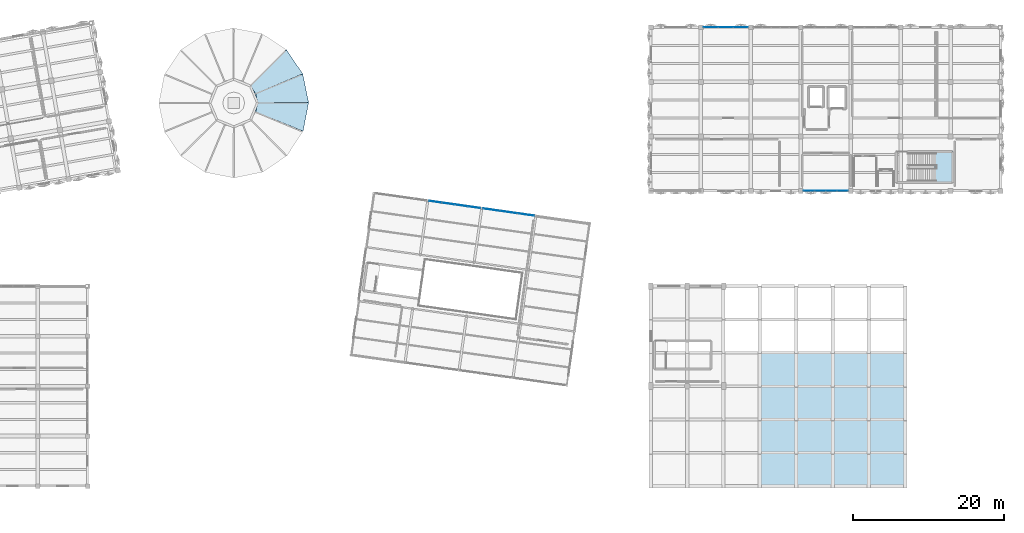
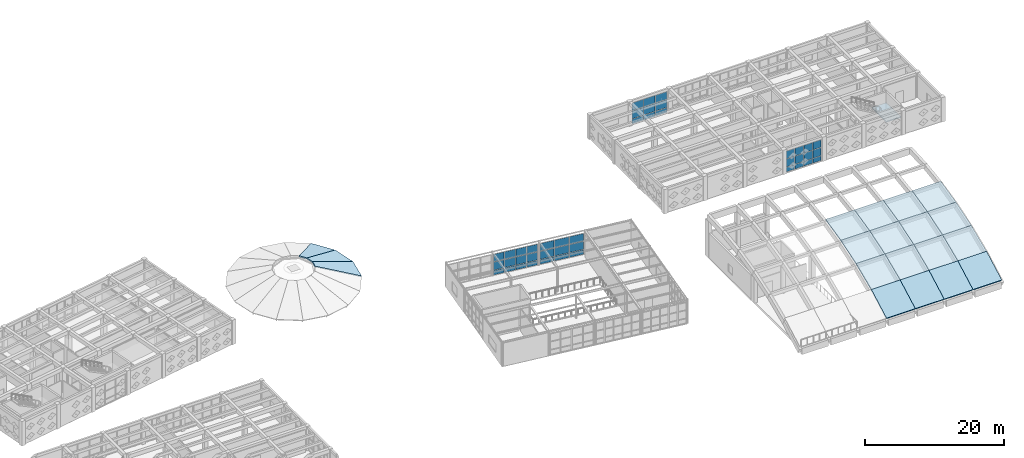
# One storey, part 46 of 67: 42 plates, 20 slabs, 5 elements without a shape of their own.
"""IFC4 building model written with IfcOpenShell, lengths in metres."""

from ifc_helpers import new_model, si_unit, direction, frame, origin, origin_2d, place, context, subcontext, project, spatial, polyline, rectangle, outline, extrude, material, layer, layer_set, type_object, element, aggregate, save


model = new_model("IFC4")

# Units and contexts
model_context = context("Model", 3, precision=1e-05, world=origin(), true_north=direction((0.0, 1.0)))
body_context = subcontext(model_context, "Body", "Model", "MODEL_VIEW")
ifc_project = project(units=[si_unit("LENGTHUNIT", "METRE"), si_unit("AREAUNIT", "SQUARE_METRE"), si_unit("VOLUMEUNIT", "CUBIC_METRE"), si_unit("PLANEANGLEUNIT", "RADIAN"), si_unit("MASSUNIT", "GRAM", prefix="KILO")], contexts=[model_context])

# Site, building, storey
site_placement = place(None, origin())
site = spatial("IfcSite", under=ifc_project, at=site_placement, CompositionType="ELEMENT")
building_placement = place(site_placement, origin())
building = spatial("IfcBuilding", under=site, at=building_placement, Name="Kharisveld Research Institute", CompositionType="ELEMENT")
storey_placement = place(building_placement, frame((0.0, 0.0, 9.60009765625)))
storey = spatial("IfcBuildingStorey", under=building, at=storey_placement, Name="L02", CompositionType="ELEMENT", Elevation=9.60009765625)

# Curtain wall, plates
ifc_material_1 = material(Name="Thermally Broken Aluminium Curtain Wall", Category="aluminium")
ifc_layer_1 = layer(ifc_material_1, 0.159912109375)
ifc_layer_set_1 = layer_set([ifc_layer_1], Name="CW_SYS_06")
curtain_wall_type_1 = type_object("IfcCurtainWallType", Name="CW_SYS_06", PredefinedType="NOTDEFINED", material=ifc_layer_set_1)
curtain_wall_1_placement = place(storey_placement, origin())
curtain_wall_1 = element("IfcCurtainWall", 1, at=curtain_wall_1_placement, inside=storey, type_object=curtain_wall_type_1, Name="CW:V2:L02:N1", PredefinedType="NOTDEFINED")
ifc_material_2 = material(Name="Low-E Double Glazing", Category="glass")
ifc_layer_2 = layer(ifc_material_2, 0.028076171875)
ifc_layer_set_2 = layer_set([ifc_layer_2], Name="CW_PNL_GLZ")
plate_type = type_object("IfcPlateType", Name="CW_PNL_GLZ", PredefinedType="CURTAIN_PANEL", material=ifc_layer_set_2)
plate_1_placement = place(storey_placement, frame((122.529541015625, 60.800048828125, 0.059814453125), z_axis=(0.0, 0.0, 1.0), x_axis=(1.0, 0.0, 0.0)))
plate_1 = element("IfcPlate", 2, at=plate_1_placement, type_object=plate_type, Name="CW-06 panel 1.1", PredefinedType="CURTAIN_PANEL", context=body_context, shape_type="SweptSolid", body=[
    extrude(rectangle(XDim=1.88916015625, YDim=0.028076171875, at=origin_2d()), origin(), (0.0, 0.0, 1.0), 0.81005859375),
])
plate_2_placement = place(storey_placement, frame((122.529541015625, 60.800048828125, 0.93017578125), z_axis=(0.0, 0.0, 1.0), x_axis=(1.0, 0.0, 0.0)))
plate_2 = element("IfcPlate", 3, at=plate_2_placement, type_object=plate_type, Name="CW-06 panel 1.2", PredefinedType="CURTAIN_PANEL", context=body_context, shape_type="SweptSolid", body=[
    extrude(rectangle(XDim=1.88916015625, YDim=0.028076171875, at=origin_2d()), origin(), (0.0, 0.0, 1.0), 1.389892578125),
])
plate_3_placement = place(storey_placement, frame((122.529541015625, 60.800048828125, 2.3798828125), z_axis=(0.0, 0.0, 1.0), x_axis=(1.0, 0.0, 0.0)))
plate_3 = element("IfcPlate", 4, at=plate_3_placement, type_object=plate_type, Name="CW-06 panel 1.3", PredefinedType="CURTAIN_PANEL", context=body_context, shape_type="SweptSolid", body=[
    extrude(rectangle(XDim=1.88916015625, YDim=0.028076171875, at=origin_2d()), origin(), (0.0, 0.0, 1.0), 1.340087890625),
])
plate_4_placement = place(storey_placement, frame((124.5, 60.800048828125, 0.059814453125), z_axis=(0.0, 0.0, 1.0), x_axis=(1.0, 0.0, 0.0)))
plate_4 = element("IfcPlate", 5, at=plate_4_placement, type_object=plate_type, Name="CW-06 panel 2.1", PredefinedType="CURTAIN_PANEL", context=body_context, shape_type="SweptSolid", body=[
    extrude(rectangle(XDim=1.921630859375, YDim=0.028076171875, at=origin_2d()), origin(), (0.0, 0.0, 1.0), 0.81005859375),
])
plate_5_placement = place(storey_placement, frame((124.5, 60.800048828125, 0.93017578125), z_axis=(0.0, 0.0, 1.0), x_axis=(1.0, 0.0, 0.0)))
plate_5 = element("IfcPlate", 6, at=plate_5_placement, type_object=plate_type, Name="CW-06 panel 2.2", PredefinedType="CURTAIN_PANEL", context=body_context, shape_type="SweptSolid", body=[
    extrude(rectangle(XDim=1.921630859375, YDim=0.028076171875, at=origin_2d()), origin(), (0.0, 0.0, 1.0), 1.389892578125),
])
plate_6_placement = place(storey_placement, frame((124.5, 60.800048828125, 2.3798828125), z_axis=(0.0, 0.0, 1.0), x_axis=(1.0, 0.0, 0.0)))
plate_6 = element("IfcPlate", 7, at=plate_6_placement, type_object=plate_type, Name="CW-06 panel 2.3", PredefinedType="CURTAIN_PANEL", context=body_context, shape_type="SweptSolid", body=[
    extrude(rectangle(XDim=1.921630859375, YDim=0.028076171875, at=origin_2d()), origin(), (0.0, 0.0, 1.0), 1.340087890625),
])
plate_7_placement = place(storey_placement, frame((126.470458984375, 60.800048828125, 0.059814453125), z_axis=(0.0, 0.0, 1.0), x_axis=(1.0, 0.0, 0.0)))
plate_7 = element("IfcPlate", 8, at=plate_7_placement, type_object=plate_type, Name="CW-06 panel 3.1", PredefinedType="CURTAIN_PANEL", context=body_context, shape_type="SweptSolid", body=[
    extrude(rectangle(XDim=1.88916015625, YDim=0.028076171875, at=origin_2d()), origin(), (0.0, 0.0, 1.0), 0.81005859375),
])
plate_8_placement = place(storey_placement, frame((126.470458984375, 60.800048828125, 0.93017578125), z_axis=(0.0, 0.0, 1.0), x_axis=(1.0, 0.0, 0.0)))
plate_8 = element("IfcPlate", 9, at=plate_8_placement, type_object=plate_type, Name="CW-06 panel 3.2", PredefinedType="CURTAIN_PANEL", context=body_context, shape_type="SweptSolid", body=[
    extrude(rectangle(XDim=1.88916015625, YDim=0.028076171875, at=origin_2d()), origin(), (0.0, 0.0, 1.0), 1.389892578125),
])
plate_9_placement = place(storey_placement, frame((126.470458984375, 60.800048828125, 2.3798828125), z_axis=(0.0, 0.0, 1.0), x_axis=(1.0, 0.0, 0.0)))
plate_9 = element("IfcPlate", 10, at=plate_9_placement, type_object=plate_type, Name="CW-06 panel 3.3", PredefinedType="CURTAIN_PANEL", context=body_context, shape_type="SweptSolid", body=[
    extrude(rectangle(XDim=1.88916015625, YDim=0.028076171875, at=origin_2d()), origin(), (0.0, 0.0, 1.0), 1.340087890625),
])
aggregate(curtain_wall_1, [plate_1, plate_2, plate_3, plate_4, plate_5, plate_6, plate_7, plate_8, plate_9])

ifc_material_3 = material(Name="Thermally Broken Aluminium Curtain Wall", Category="aluminium")
ifc_layer_3 = layer(ifc_material_3, 0.159912109375)
ifc_layer_set_3 = layer_set([ifc_layer_3], Name="CW_SYS_04")
curtain_wall_type_2 = type_object("IfcCurtainWallType", Name="CW_SYS_04", PredefinedType="NOTDEFINED", material=ifc_layer_set_3)
curtain_wall_2_placement = place(storey_placement, origin())
curtain_wall_2 = element("IfcCurtainWall", 11, at=curtain_wall_2_placement, inside=storey, type_object=curtain_wall_type_2, Name="CW:V2:L02:S4", PredefinedType="NOTDEFINED")
plate_10_placement = place(storey_placement, frame((139.918701171875, 39.199951171875, 0.059814453125), z_axis=(0.0, 0.0, 1.0), x_axis=(-1.0, 0.0, 0.0)))
plate_10 = element("IfcPlate", 12, at=plate_10_placement, type_object=plate_type, Name="CW-04 panel 1.1", PredefinedType="CURTAIN_PANEL", context=body_context, shape_type="SweptSolid", body=[
    extrude(rectangle(XDim=1.392578125, YDim=0.028076171875, at=origin_2d()), origin(), (0.0, 0.0, 1.0), 0.81005859375),
])
plate_11_placement = place(storey_placement, frame((139.918701171875, 39.199951171875, 0.93017578125), z_axis=(0.0, 0.0, 1.0), x_axis=(-1.0, 0.0, 0.0)))
plate_11 = element("IfcPlate", 13, at=plate_11_placement, type_object=plate_type, Name="CW-04 panel 1.2", PredefinedType="CURTAIN_PANEL", context=body_context, shape_type="SweptSolid", body=[
    extrude(rectangle(XDim=1.392578125, YDim=0.028076171875, at=origin_2d()), origin(), (0.0, 0.0, 1.0), 1.389892578125),
])
plate_12_placement = place(storey_placement, frame((139.918701171875, 39.199951171875, 2.3798828125), z_axis=(0.0, 0.0, 1.0), x_axis=(-1.0, 0.0, 0.0)))
plate_12 = element("IfcPlate", 14, at=plate_12_placement, type_object=plate_type, Name="CW-04 panel 1.3", PredefinedType="CURTAIN_PANEL", context=body_context, shape_type="SweptSolid", body=[
    extrude(rectangle(XDim=1.392578125, YDim=0.028076171875, at=origin_2d()), origin(), (0.0, 0.0, 1.0), 1.340087890625),
])
plate_13_placement = place(storey_placement, frame((138.445068359375, 39.199951171875, 0.059814453125), z_axis=(0.0, 0.0, 1.0), x_axis=(-1.0, 0.0, 0.0)))
plate_13 = element("IfcPlate", 15, at=plate_13_placement, type_object=plate_type, Name="CW-04 panel 2.1", PredefinedType="CURTAIN_PANEL", context=body_context, shape_type="SweptSolid", body=[
    extrude(rectangle(XDim=1.425048828125, YDim=0.028076171875, at=origin_2d()), origin(), (0.0, 0.0, 1.0), 0.81005859375),
])
plate_14_placement = place(storey_placement, frame((138.445068359375, 39.199951171875, 0.93017578125), z_axis=(0.0, 0.0, 1.0), x_axis=(-1.0, 0.0, 0.0)))
plate_14 = element("IfcPlate", 16, at=plate_14_placement, type_object=plate_type, Name="CW-04 panel 2.2", PredefinedType="CURTAIN_PANEL", context=body_context, shape_type="SweptSolid", body=[
    extrude(rectangle(XDim=1.425048828125, YDim=0.028076171875, at=origin_2d()), origin(), (0.0, 0.0, 1.0), 1.389892578125),
])
plate_15_placement = place(storey_placement, frame((138.445068359375, 39.199951171875, 2.3798828125), z_axis=(0.0, 0.0, 1.0), x_axis=(-1.0, 0.0, 0.0)))
plate_15 = element("IfcPlate", 17, at=plate_15_placement, type_object=plate_type, Name="CW-04 panel 2.3", PredefinedType="CURTAIN_PANEL", context=body_context, shape_type="SweptSolid", body=[
    extrude(rectangle(XDim=1.425048828125, YDim=0.028076171875, at=origin_2d()), origin(), (0.0, 0.0, 1.0), 1.340087890625),
])
plate_16_placement = place(storey_placement, frame((136.955078125, 39.199951171875, 0.059814453125), z_axis=(0.0, 0.0, 1.0), x_axis=(-1.0, 0.0, 0.0)))
plate_16 = element("IfcPlate", 18, at=plate_16_placement, type_object=plate_type, Name="CW-04 panel 3.1", PredefinedType="CURTAIN_PANEL", context=body_context, shape_type="SweptSolid", body=[
    extrude(rectangle(XDim=1.425048828125, YDim=0.028076171875, at=origin_2d()), origin(), (0.0, 0.0, 1.0), 0.81005859375),
])
plate_17_placement = place(storey_placement, frame((136.955078125, 39.199951171875, 0.93017578125), z_axis=(0.0, 0.0, 1.0), x_axis=(-1.0, 0.0, 0.0)))
plate_17 = element("IfcPlate", 19, at=plate_17_placement, type_object=plate_type, Name="CW-04 panel 3.2", PredefinedType="CURTAIN_PANEL", context=body_context, shape_type="SweptSolid", body=[
    extrude(rectangle(XDim=1.425048828125, YDim=0.028076171875, at=origin_2d()), origin(), (0.0, 0.0, 1.0), 1.389892578125),
])
plate_18_placement = place(storey_placement, frame((136.955078125, 39.199951171875, 2.3798828125), z_axis=(0.0, 0.0, 1.0), x_axis=(-1.0, 0.0, 0.0)))
plate_18 = element("IfcPlate", 20, at=plate_18_placement, type_object=plate_type, Name="CW-04 panel 3.3", PredefinedType="CURTAIN_PANEL", context=body_context, shape_type="SweptSolid", body=[
    extrude(rectangle(XDim=1.425048828125, YDim=0.028076171875, at=origin_2d()), origin(), (0.0, 0.0, 1.0), 1.340087890625),
])
plate_19_placement = place(storey_placement, frame((135.481201171875, 39.199951171875, 0.059814453125), z_axis=(0.0, 0.0, 1.0), x_axis=(-1.0, 0.0, 0.0)))
plate_19 = element("IfcPlate", 21, at=plate_19_placement, type_object=plate_type, Name="CW-04 panel 4.1", PredefinedType="CURTAIN_PANEL", context=body_context, shape_type="SweptSolid", body=[
    extrude(rectangle(XDim=1.392578125, YDim=0.028076171875, at=origin_2d()), origin(), (0.0, 0.0, 1.0), 0.81005859375),
])
plate_20_placement = place(storey_placement, frame((135.481201171875, 39.199951171875, 0.93017578125), z_axis=(0.0, 0.0, 1.0), x_axis=(-1.0, 0.0, 0.0)))
plate_20 = element("IfcPlate", 22, at=plate_20_placement, type_object=plate_type, Name="CW-04 panel 4.2", PredefinedType="CURTAIN_PANEL", context=body_context, shape_type="SweptSolid", body=[
    extrude(rectangle(XDim=1.392578125, YDim=0.028076171875, at=origin_2d()), origin(), (0.0, 0.0, 1.0), 1.389892578125),
])
plate_21_placement = place(storey_placement, frame((135.481201171875, 39.199951171875, 2.3798828125), z_axis=(0.0, 0.0, 1.0), x_axis=(-1.0, 0.0, 0.0)))
plate_21 = element("IfcPlate", 23, at=plate_21_placement, type_object=plate_type, Name="CW-04 panel 4.3", PredefinedType="CURTAIN_PANEL", context=body_context, shape_type="SweptSolid", body=[
    extrude(rectangle(XDim=1.392578125, YDim=0.028076171875, at=origin_2d()), origin(), (0.0, 0.0, 1.0), 1.340087890625),
])
aggregate(curtain_wall_2, [plate_10, plate_11, plate_12, plate_13, plate_14, plate_15, plate_16, plate_17, plate_18, plate_19, plate_20, plate_21])

ifc_material_4 = material(Name="Thermally Broken Aluminium Curtain Wall", Category="aluminium")
ifc_layer_4 = layer(ifc_material_4, 0.159912109375)
ifc_layer_set_4 = layer_set([ifc_layer_4], Name="CW_SYS_05")
curtain_wall_type_3 = type_object("IfcCurtainWallType", Name="CW_SYS_05", PredefinedType="NOTDEFINED", material=ifc_layer_set_4)
curtain_wall_3_placement = place(storey_placement, origin())
curtain_wall_3 = element("IfcCurtainWall", 24, at=curtain_wall_3_placement, inside=storey, type_object=curtain_wall_type_3, Name="CW:V4:L02:N1", PredefinedType="NOTDEFINED")
plate_22_placement = place(storey_placement, frame((86.142333984375, 37.746337890625, 0.06494140625), z_axis=(0.0, 0.0, 1.0), x_axis=(0.990268065931, -0.139173120957, 0.0)))
plate_22 = element("IfcPlate", 25, at=plate_22_placement, type_object=plate_type, Name="CW-05 panel 1.1", PredefinedType="CURTAIN_PANEL", context=body_context, shape_type="SweptSolid", body=[
    extrude(rectangle(XDim=1.629150390625, YDim=0.028076171875, at=origin_2d()), origin(), (0.0, 0.0, 1.0), 0.802490234375),
])
plate_23_placement = place(storey_placement, frame((86.142333984375, 37.746337890625, 0.9326171875), z_axis=(0.0, 0.0, 1.0), x_axis=(0.990268065931, -0.139173120957, 0.0)))
plate_23 = element("IfcPlate", 26, at=plate_23_placement, type_object=plate_type, Name="CW-05 panel 1.2", PredefinedType="CURTAIN_PANEL", context=body_context, shape_type="SweptSolid", body=[
    extrude(rectangle(XDim=1.629150390625, YDim=0.028076171875, at=origin_2d()), origin(), (0.0, 0.0, 1.0), 1.385009765625),
])
plate_24_placement = place(storey_placement, frame((86.142333984375, 37.746337890625, 2.38232421875), z_axis=(0.0, 0.0, 1.0), x_axis=(0.990268065931, -0.139173120957, 0.0)))
plate_24 = element("IfcPlate", 27, at=plate_24_placement, type_object=plate_type, Name="CW-05 panel 1.3", PredefinedType="CURTAIN_PANEL", context=body_context, shape_type="SweptSolid", body=[
    extrude(rectangle(XDim=1.629150390625, YDim=0.028076171875, at=origin_2d()), origin(), (0.0, 0.0, 1.0), 1.33251953125),
])
plate_25_placement = place(storey_placement, frame((87.84228515625, 37.50732421875, 0.06494140625), z_axis=(0.0, 0.0, 1.0), x_axis=(0.990268065931, -0.139173120957, 0.0)))
plate_25 = element("IfcPlate", 28, at=plate_25_placement, type_object=plate_type, Name="CW-05 panel 2.1", PredefinedType="CURTAIN_PANEL", context=body_context, shape_type="SweptSolid", body=[
    extrude(rectangle(XDim=1.664306640625, YDim=0.028076171875, at=origin_2d()), origin(), (0.0, 0.0, 1.0), 0.802490234375),
])
plate_26_placement = place(storey_placement, frame((87.84228515625, 37.50732421875, 0.9326171875), z_axis=(0.0, 0.0, 1.0), x_axis=(0.990268065931, -0.139173120957, 0.0)))
plate_26 = element("IfcPlate", 29, at=plate_26_placement, type_object=plate_type, Name="CW-05 panel 2.2", PredefinedType="CURTAIN_PANEL", context=body_context, shape_type="SweptSolid", body=[
    extrude(rectangle(XDim=1.664306640625, YDim=0.028076171875, at=origin_2d()), origin(), (0.0, 0.0, 1.0), 1.385009765625),
])
plate_27_placement = place(storey_placement, frame((87.84228515625, 37.50732421875, 2.38232421875), z_axis=(0.0, 0.0, 1.0), x_axis=(0.990268065931, -0.139173120957, 0.0)))
plate_27 = element("IfcPlate", 30, at=plate_27_placement, type_object=plate_type, Name="CW-05 panel 2.3", PredefinedType="CURTAIN_PANEL", context=body_context, shape_type="SweptSolid", body=[
    extrude(rectangle(XDim=1.664306640625, YDim=0.028076171875, at=origin_2d()), origin(), (0.0, 0.0, 1.0), 1.33251953125),
])
plate_28_placement = place(storey_placement, frame((89.559814453125, 37.26611328125, 0.06494140625), z_axis=(0.0, 0.0, 1.0), x_axis=(0.990268065931, -0.139173120957, 0.0)))
plate_28 = element("IfcPlate", 31, at=plate_28_placement, type_object=plate_type, Name="CW-05 panel 3.1", PredefinedType="CURTAIN_PANEL", context=body_context, shape_type="SweptSolid", body=[
    extrude(rectangle(XDim=1.664306640625, YDim=0.028076171875, at=origin_2d()), origin(), (0.0, 0.0, 1.0), 0.802490234375),
])
plate_29_placement = place(storey_placement, frame((89.559814453125, 37.26611328125, 0.9326171875), z_axis=(0.0, 0.0, 1.0), x_axis=(0.990268065931, -0.139173120957, 0.0)))
plate_29 = element("IfcPlate", 32, at=plate_29_placement, type_object=plate_type, Name="CW-05 panel 3.2", PredefinedType="CURTAIN_PANEL", context=body_context, shape_type="SweptSolid", body=[
    extrude(rectangle(XDim=1.664306640625, YDim=0.028076171875, at=origin_2d()), origin(), (0.0, 0.0, 1.0), 1.385009765625),
])
plate_30_placement = place(storey_placement, frame((89.559814453125, 37.26611328125, 2.38232421875), z_axis=(0.0, 0.0, 1.0), x_axis=(0.990268065931, -0.139173120957, 0.0)))
plate_30 = element("IfcPlate", 33, at=plate_30_placement, type_object=plate_type, Name="CW-05 panel 3.3", PredefinedType="CURTAIN_PANEL", context=body_context, shape_type="SweptSolid", body=[
    extrude(rectangle(XDim=1.664306640625, YDim=0.028076171875, at=origin_2d()), origin(), (0.0, 0.0, 1.0), 1.33251953125),
])
plate_31_placement = place(storey_placement, frame((91.259765625, 37.027099609375, 0.06494140625), z_axis=(0.0, 0.0, 1.0), x_axis=(0.990268065931, -0.139173120957, 0.0)))
plate_31 = element("IfcPlate", 34, at=plate_31_placement, type_object=plate_type, Name="CW-05 panel 4.1", PredefinedType="CURTAIN_PANEL", context=body_context, shape_type="SweptSolid", body=[
    extrude(rectangle(XDim=1.629150390625, YDim=0.028076171875, at=origin_2d()), origin(), (0.0, 0.0, 1.0), 0.802490234375),
])
plate_32_placement = place(storey_placement, frame((91.259765625, 37.027099609375, 0.9326171875), z_axis=(0.0, 0.0, 1.0), x_axis=(0.990268065931, -0.139173120957, 0.0)))
plate_32 = element("IfcPlate", 35, at=plate_32_placement, type_object=plate_type, Name="CW-05 panel 4.2", PredefinedType="CURTAIN_PANEL", context=body_context, shape_type="SweptSolid", body=[
    extrude(rectangle(XDim=1.629150390625, YDim=0.028076171875, at=origin_2d()), origin(), (0.0, 0.0, 1.0), 1.385009765625),
])
plate_33_placement = place(storey_placement, frame((91.259765625, 37.027099609375, 2.38232421875), z_axis=(0.0, 0.0, 1.0), x_axis=(0.990268065931, -0.139173120957, 0.0)))
plate_33 = element("IfcPlate", 36, at=plate_33_placement, type_object=plate_type, Name="CW-05 panel 4.3", PredefinedType="CURTAIN_PANEL", context=body_context, shape_type="SweptSolid", body=[
    extrude(rectangle(XDim=1.629150390625, YDim=0.028076171875, at=origin_2d()), origin(), (0.0, 0.0, 1.0), 1.33251953125),
])
aggregate(curtain_wall_3, [plate_22, plate_23, plate_24, plate_25, plate_26, plate_27, plate_28, plate_29, plate_30, plate_31, plate_32, plate_33])

curtain_wall_4_placement = place(storey_placement, origin())
curtain_wall_4 = element("IfcCurtainWall", 37, at=curtain_wall_4_placement, inside=storey, type_object=curtain_wall_type_1, Name="CW:V4:L02:N2", PredefinedType="NOTDEFINED")
plate_34_placement = place(storey_placement, frame((93.558349609375, 36.7041015625, 0.06494140625), z_axis=(0.0, 0.0, 1.0), x_axis=(0.990268046064, -0.139173262318, 0.0)))
plate_34 = element("IfcPlate", 38, at=plate_34_placement, type_object=plate_type, Name="CW-06 panel 1.1", PredefinedType="CURTAIN_PANEL", context=body_context, shape_type="SweptSolid", body=[
    extrude(rectangle(XDim=2.207275390625, YDim=0.028076171875, at=origin_2d()), origin(), (0.0, 0.0, 1.0), 0.802490234375),
])
plate_35_placement = place(storey_placement, frame((93.558349609375, 36.7041015625, 0.9326171875), z_axis=(0.0, 0.0, 1.0), x_axis=(0.990268046064, -0.139173262318, 0.0)))
plate_35 = element("IfcPlate", 39, at=plate_35_placement, type_object=plate_type, Name="CW-06 panel 1.2", PredefinedType="CURTAIN_PANEL", context=body_context, shape_type="SweptSolid", body=[
    extrude(rectangle(XDim=2.207275390625, YDim=0.028076171875, at=origin_2d()), origin(), (0.0, 0.0, 1.0), 1.385009765625),
])
plate_36_placement = place(storey_placement, frame((93.558349609375, 36.7041015625, 2.38232421875), z_axis=(0.0, 0.0, 1.0), x_axis=(0.990268046064, -0.139173262318, 0.0)))
plate_36 = element("IfcPlate", 40, at=plate_36_placement, type_object=plate_type, Name="CW-06 panel 1.3", PredefinedType="CURTAIN_PANEL", context=body_context, shape_type="SweptSolid", body=[
    extrude(rectangle(XDim=2.207275390625, YDim=0.028076171875, at=origin_2d()), origin(), (0.0, 0.0, 1.0), 1.33251953125),
])
plate_37_placement = place(storey_placement, frame((95.8310546875, 36.384765625, 0.06494140625), z_axis=(0.0, 0.0, 1.0), x_axis=(0.990268046064, -0.139173262318, 0.0)))
plate_37 = element("IfcPlate", 41, at=plate_37_placement, type_object=plate_type, Name="CW-06 panel 2.1", PredefinedType="CURTAIN_PANEL", context=body_context, shape_type="SweptSolid", body=[
    extrude(rectangle(XDim=2.242431640625, YDim=0.028076171875, at=origin_2d()), origin(), (0.0, 0.0, 1.0), 0.802490234375),
])
plate_38_placement = place(storey_placement, frame((95.8310546875, 36.384765625, 0.9326171875), z_axis=(0.0, 0.0, 1.0), x_axis=(0.990268046064, -0.139173262318, 0.0)))
plate_38 = element("IfcPlate", 42, at=plate_38_placement, type_object=plate_type, Name="CW-06 panel 2.2", PredefinedType="CURTAIN_PANEL", context=body_context, shape_type="SweptSolid", body=[
    extrude(rectangle(XDim=2.242431640625, YDim=0.028076171875, at=origin_2d()), origin(), (0.0, 0.0, 1.0), 1.385009765625),
])
plate_39_placement = place(storey_placement, frame((95.8310546875, 36.384765625, 2.38232421875), z_axis=(0.0, 0.0, 1.0), x_axis=(0.990268046064, -0.139173262318, 0.0)))
plate_39 = element("IfcPlate", 43, at=plate_39_placement, type_object=plate_type, Name="CW-06 panel 2.3", PredefinedType="CURTAIN_PANEL", context=body_context, shape_type="SweptSolid", body=[
    extrude(rectangle(XDim=2.242431640625, YDim=0.028076171875, at=origin_2d()), origin(), (0.0, 0.0, 1.0), 1.33251953125),
])
plate_40_placement = place(storey_placement, frame((98.103515625, 36.065185546875, 0.06494140625), z_axis=(0.0, 0.0, 1.0), x_axis=(0.990268046064, -0.139173262318, 0.0)))
plate_40 = element("IfcPlate", 44, at=plate_40_placement, type_object=plate_type, Name="CW-06 panel 3.1", PredefinedType="CURTAIN_PANEL", context=body_context, shape_type="SweptSolid", body=[
    extrude(rectangle(XDim=2.207275390625, YDim=0.028076171875, at=origin_2d()), origin(), (0.0, 0.0, 1.0), 0.802490234375),
])
plate_41_placement = place(storey_placement, frame((98.103515625, 36.065185546875, 0.9326171875), z_axis=(0.0, 0.0, 1.0), x_axis=(0.990268046064, -0.139173262318, 0.0)))
plate_41 = element("IfcPlate", 45, at=plate_41_placement, type_object=plate_type, Name="CW-06 panel 3.2", PredefinedType="CURTAIN_PANEL", context=body_context, shape_type="SweptSolid", body=[
    extrude(rectangle(XDim=2.207275390625, YDim=0.028076171875, at=origin_2d()), origin(), (0.0, 0.0, 1.0), 1.385009765625),
])
plate_42_placement = place(storey_placement, frame((98.103515625, 36.065185546875, 2.38232421875), z_axis=(0.0, 0.0, 1.0), x_axis=(0.990268046064, -0.139173262318, 0.0)))
plate_42 = element("IfcPlate", 46, at=plate_42_placement, type_object=plate_type, Name="CW-06 panel 3.3", PredefinedType="CURTAIN_PANEL", context=body_context, shape_type="SweptSolid", body=[
    extrude(rectangle(XDim=2.207275390625, YDim=0.028076171875, at=origin_2d()), origin(), (0.0, 0.0, 1.0), 1.33251953125),
])
aggregate(curtain_wall_4, [plate_34, plate_35, plate_36, plate_37, plate_38, plate_39, plate_40, plate_41, plate_42])

# Stair, slab
ifc_material_5 = material(Name="Concrete C40/50", Category="concrete")
stair_type = type_object("IfcStairType", Name="ST_EXIT_170", PredefinedType="TWO_STRAIGHT_RUN_STAIR", material=ifc_material_5)
stair_placement = place(storey_placement, origin())
stair = element("IfcStair", 47, at=stair_placement, inside=storey, type_object=stair_type, Name="STR:ST3:L02", PredefinedType="TWO_STRAIGHT_RUN_STAIR")
ifc_material_6 = material(Name="Concrete C40/50", Category="concrete")
ifc_layer_5 = layer(ifc_material_6, 0.179931640625)
ifc_layer_set_5 = layer_set([ifc_layer_5], Name="SL_LND_180")
slab_type_1 = type_object("IfcSlabType", Name="SL_LND_180", PredefinedType="LANDING", material=ifc_layer_set_5)
slab_1_placement = place(storey_placement, frame((0.0, 0.0, 2.06982421875)))
slab_1 = element("IfcSlab", 48, at=slab_1_placement, type_object=slab_type_1, Name="ST-03 landing 1", PredefinedType="LANDING", context=body_context, shape_type="SweptSolid", body=[
    extrude(outline(polyline([(152.094970703125, 40.27001953125), (154.5, 40.27001953125), (154.5, 44.389892578125), (152.094970703125, 44.389892578125), (152.094970703125, 40.27001953125)])), origin(), (0.0, 0.0, 1.0), 0.18017578125),
])
aggregate(stair, [slab_1])

# Slabs
ifc_material_7 = material(Name="Concrete C40/50", Category="concrete")
ifc_layer_6 = layer(ifc_material_7, 0.175048828125)
ifc_layer_set_6 = layer_set([ifc_layer_6], Name="SL_ROOF_175")
slab_type_2 = type_object("IfcSlabType", Name="SL_ROOF_175", PredefinedType="ROOF", material=ifc_layer_set_6)
slab_2_placement = place(storey_placement, frame((69.39990234375, 50.860107421875, 0.1298828125), z_axis=(0.330181542599, 0.067765600006, 0.941481796097), x_axis=(-0.201101918011, 0.979570323237, 2.0149945e-05)))
element("IfcSlab", 49, at=slab_2_placement, inside=storey, type_object=slab_type_2, Name="SLAB:V6:L02:ROOF00", PredefinedType="ROOF", context=body_context, shape_type="SweptSolid", body=[
    extrude(outline(polyline([(0.0, 0.0), (3.862858091542575, 1.1102230246251565e-16), (2.5462082357195306, 7.031504577743758), (1.3173080152630237, 7.0318089671197574), (0.0, 0.0)])), origin(), (0.0, 0.0, -1.0), 0.175048828125),
])
slab_3_placement = place(storey_placement, frame((68.623046875, 54.64404296875, 0.1298828125), z_axis=(0.279128307168, 0.188972756557, 0.941475801822), x_axis=(-0.560659503165, 0.828046448671, 1.8819446e-05)))
element("IfcSlab", 50, at=slab_3_placement, inside=storey, type_object=slab_type_2, Name="SLAB:V6:L02:ROOF01", PredefinedType="ROOF", context=body_context, shape_type="SweptSolid", body=[
    extrude(outline(polyline([(0.0, 0.0), (3.863296808841696, 0.0), (2.546223876287769, 7.031165373534329), (1.3169429170862137, 7.031449695736868), (0.0, 0.0)])), origin(), (0.0, 0.0, -1.0), 0.175048828125),
])
slab_4_placement = place(storey_placement, frame((68.6689453125, 47.06689453125, 0.1298828125), z_axis=(0.33095861452, -0.063796914708, 0.941486244801), x_axis=(0.189226834464, 0.981933401382, 1.9193581e-05)))
element("IfcSlab", 51, at=slab_4_placement, inside=storey, type_object=slab_type_2, Name="SLAB:V6:L02:ROOF15", PredefinedType="ROOF", context=body_context, shape_type="SweptSolid", body=[
    extrude(outline(polyline([(0.0, 0.0), (3.862999121011479, 0.0), (2.5454888672504357, 7.031771077688006), (1.3161917147814257, 7.032061061346902), (0.0, 0.0)])), origin(), (0.0, 0.0, -1.0), 0.175048828125),
])
ifc_material_8 = material(Name="Concrete C40/50", Category="concrete")
ifc_layer_7 = layer(ifc_material_8, 0.1298828125)
ifc_layer_set_7 = layer_set([ifc_layer_7], Name="SL_SHL_130")
slab_type_3 = type_object("IfcSlabType", Name="SL_SHL_130", PredefinedType="ROOF", material=ifc_layer_set_7)
slab_5_placement = place(storey_placement, frame((129.0, 9.0, 4.287353515625), z_axis=(0.0, -0.309460675517, 0.950912241118), x_axis=(1.0, 0.0, 0.0)))
element("IfcSlab", 52, at=slab_5_placement, inside=storey, type_object=slab_type_3, Name="SLAB:V5:L02:SHELL_B4_S3", PredefinedType="ROOF", context=body_context, shape_type="SweptSolid", body=[
    extrude(outline(polyline([(0.0, 0.0), (4.800048828125, 0.0), (4.800048828125, 4.627033025229635), (0.0, 4.627033025229635), (0.0, 0.0)])), origin(), (0.0, 0.0, -1.0), 0.1298828125),
])
slab_6_placement = place(storey_placement, frame((129.0, 13.39990234375, 5.71923828125), z_axis=(0.0, -0.224697609831, 0.974428542345), x_axis=(1.0, 0.0, 0.0)))
element("IfcSlab", 53, at=slab_6_placement, inside=storey, type_object=slab_type_3, Name="SLAB:V5:L02:SHELL_B4_S4", PredefinedType="ROOF", context=body_context, shape_type="SweptSolid", body=[
    extrude(outline(polyline([(0.0, 0.0), (4.800048828125, 0.0), (4.800048828125, 4.515617403598191), (0.0, 4.515617403598191), (0.0, 0.0)])), origin(), (0.0, 0.0, -1.0), 0.1298828125),
])
slab_7_placement = place(storey_placement, frame((133.800048828125, 9.0, 4.287353515625), z_axis=(0.0, -0.309460675517, 0.950912241118), x_axis=(1.0, 0.0, 0.0)))
element("IfcSlab", 54, at=slab_7_placement, inside=storey, type_object=slab_type_3, Name="SLAB:V5:L02:SHELL_B5_S3", PredefinedType="ROOF", context=body_context, shape_type="SweptSolid", body=[
    extrude(outline(polyline([(0.0, 0.0), (4.800048828125, 0.0), (4.800048828125, 4.627033025229635), (0.0, 4.627033025229635), (0.0, 0.0)])), origin(), (0.0, 0.0, -1.0), 0.1298828125),
])
slab_8_placement = place(storey_placement, frame((133.800048828125, 13.39990234375, 5.71923828125), z_axis=(0.0, -0.224697609831, 0.974428542345), x_axis=(1.0, 0.0, 0.0)))
element("IfcSlab", 55, at=slab_8_placement, inside=storey, type_object=slab_type_3, Name="SLAB:V5:L02:SHELL_B5_S4", PredefinedType="ROOF", context=body_context, shape_type="SweptSolid", body=[
    extrude(outline(polyline([(0.0, 0.0), (4.800048828125, 0.0), (4.800048828125, 4.515617403598191), (0.0, 4.515617403598191), (0.0, 0.0)])), origin(), (0.0, 0.0, -1.0), 0.1298828125),
])
slab_9_placement = place(storey_placement, frame((138.60009765625, 9.0, 4.287353515625), z_axis=(0.0, -0.309460675517, 0.950912241118), x_axis=(1.0, 0.0, 0.0)))
element("IfcSlab", 56, at=slab_9_placement, inside=storey, type_object=slab_type_3, Name="SLAB:V5:L02:SHELL_B6_S3", PredefinedType="ROOF", context=body_context, shape_type="SweptSolid", body=[
    extrude(outline(polyline([(0.0, 0.0), (4.7998046875, 0.0), (4.7998046875, 4.627033025229635), (0.0, 4.627033025229635), (0.0, 0.0)])), origin(), (0.0, 0.0, -1.0), 0.1298828125),
])
slab_10_placement = place(storey_placement, frame((138.60009765625, 13.39990234375, 5.71923828125), z_axis=(0.0, -0.224697609831, 0.974428542345), x_axis=(1.0, 0.0, 0.0)))
element("IfcSlab", 57, at=slab_10_placement, inside=storey, type_object=slab_type_3, Name="SLAB:V5:L02:SHELL_B6_S4", PredefinedType="ROOF", context=body_context, shape_type="SweptSolid", body=[
    extrude(outline(polyline([(0.0, 0.0), (4.7998046875, 0.0), (4.7998046875, 4.51561740359819), (0.0, 4.51561740359819), (0.0, 0.0)])), origin(), (0.0, 0.0, -1.0), 0.1298828125),
])
slab_11_placement = place(storey_placement, frame((143.39990234375, 9.0, 4.287353515625), z_axis=(0.0, -0.309460675517, 0.950912241118), x_axis=(1.0, 0.0, 0.0)))
element("IfcSlab", 58, at=slab_11_placement, inside=storey, type_object=slab_type_3, Name="SLAB:V5:L02:SHELL_B7_S3", PredefinedType="ROOF", context=body_context, shape_type="SweptSolid", body=[
    extrude(outline(polyline([(0.0, 0.0), (4.800048828125, 0.0), (4.800048828125, 4.627033025229635), (0.0, 4.627033025229635), (0.0, 0.0)])), origin(), (0.0, 0.0, -1.0), 0.1298828125),
])
slab_12_placement = place(storey_placement, frame((143.39990234375, 13.39990234375, 5.71923828125), z_axis=(0.0, -0.224697609831, 0.974428542345), x_axis=(1.0, 0.0, 0.0)))
element("IfcSlab", 59, at=slab_12_placement, inside=storey, type_object=slab_type_3, Name="SLAB:V5:L02:SHELL_B7_S4", PredefinedType="ROOF", context=body_context, shape_type="SweptSolid", body=[
    extrude(outline(polyline([(0.0, 0.0), (4.800048828125, 0.0), (4.800048828125, 4.515617403598191), (0.0, 4.515617403598191), (0.0, 0.0)])), origin(), (0.0, 0.0, -1.0), 0.1298828125),
])
ifc_material_9 = material(Name="Concrete C40/50", Category="concrete")
ifc_layer_8 = layer(ifc_material_9, 0.159912109375)
ifc_layer_set_8 = layer_set([ifc_layer_8], Name="SL_SHL_160")
slab_type_4 = type_object("IfcSlabType", Name="SL_SHL_160", PredefinedType="ROOF", material=ifc_layer_set_8)
for number, where, z_axis, x_axis, name in (
    (60, (129.0, 4.60009765625, 2.400390625), (0.0, -0.394147009386, 0.919047406281), (1.0, 0.0, 0.0), "SLAB:V5:L02:SHELL_B4_S2"),
    (61, (133.800048828125, 4.60009765625, 2.400390625), (0.0, -0.394147009386, 0.919047406281), (1.0, 0.0, 0.0), "SLAB:V5:L02:SHELL_B5_S2"),
):
    element("IfcSlab", number, at=place(storey_placement, frame(where, z_axis=z_axis, x_axis=x_axis)), inside=storey, type_object=slab_type_4, Name=name, PredefinedType="ROOF", context=body_context, shape_type="SweptSolid", body=[
        extrude(outline(polyline([(0.0, 0.0), (4.800048828125, 0.0), (4.800048828125, 4.787459617075908), (0.0, 4.787459617075908), (0.0, 0.0)])), origin(), (0.0, 0.0, -1.0), 0.159912109375),
    ])
slab_13_placement = place(storey_placement, frame((138.60009765625, 4.60009765625, 2.400390625), z_axis=(0.0, -0.394147009386, 0.919047406281), x_axis=(1.0, 0.0, 0.0)))
element("IfcSlab", 62, at=slab_13_placement, inside=storey, type_object=slab_type_4, Name="SLAB:V5:L02:SHELL_B6_S2", PredefinedType="ROOF", context=body_context, shape_type="SweptSolid", body=[
    extrude(outline(polyline([(0.0, 0.0), (4.7998046875, 0.0), (4.7998046875, 4.787459617075909), (0.0, 4.787459617075909), (0.0, 0.0)])), origin(), (0.0, 0.0, -1.0), 0.159912109375),
])
slab_14_placement = place(storey_placement, frame((143.39990234375, 4.60009765625, 2.400390625), z_axis=(0.0, -0.394147009386, 0.919047406281), x_axis=(1.0, 0.0, 0.0)))
element("IfcSlab", 63, at=slab_14_placement, inside=storey, type_object=slab_type_4, Name="SLAB:V5:L02:SHELL_B7_S2", PredefinedType="ROOF", context=body_context, shape_type="SweptSolid", body=[
    extrude(outline(polyline([(0.0, 0.0), (4.800048828125, 0.0), (4.800048828125, 4.787459617075908), (0.0, 4.787459617075908), (0.0, 0.0)])), origin(), (0.0, 0.0, -1.0), 0.159912109375),
])
ifc_material_10 = material(Name="Concrete C40/50", Category="concrete")
ifc_layer_9 = layer(ifc_material_10, 0.22998046875)
ifc_layer_set_9 = layer_set([ifc_layer_9], Name="SL_SHL_230")
slab_type_5 = type_object("IfcSlabType", Name="SL_SHL_230", PredefinedType="ROOF", material=ifc_layer_set_9)
for number, where, z_axis, x_axis, name in (
    (64, (129.0, 0.199951171875, 0.0), (0.0, -0.47889990753, 0.877869511128), (1.0, 0.0, 0.0), "SLAB:V5:L02:SHELL_B4_S1"),
    (65, (133.800048828125, 0.199951171875, 0.0), (0.0, -0.47889990753, 0.877869511128), (1.0, 0.0, 0.0), "SLAB:V5:L02:SHELL_B5_S1"),
):
    element("IfcSlab", number, at=place(storey_placement, frame(where, z_axis=z_axis, x_axis=x_axis)), inside=storey, type_object=slab_type_5, Name=name, PredefinedType="ROOF", context=body_context, shape_type="SweptSolid", body=[
        extrude(outline(polyline([(0.0, 0.0), (4.800048828125, 0.0), (4.800048828125, 5.012301291477355), (0.0, 5.012301291477355), (0.0, 0.0)])), origin(), (0.0, 0.0, -1.0), 0.22998046875),
    ])
slab_15_placement = place(storey_placement, frame((138.60009765625, 0.199951171875, 0.0), z_axis=(0.0, -0.47889990753, 0.877869511128), x_axis=(1.0, 0.0, 0.0)))
element("IfcSlab", 66, at=slab_15_placement, inside=storey, type_object=slab_type_5, Name="SLAB:V5:L02:SHELL_B6_S1", PredefinedType="ROOF", context=body_context, shape_type="SweptSolid", body=[
    extrude(outline(polyline([(0.0, 0.0), (4.7998046875, 0.0), (4.7998046875, 5.012301291477355), (0.0, 5.012301291477355), (0.0, 0.0)])), origin(), (0.0, 0.0, -1.0), 0.22998046875),
])
slab_16_placement = place(storey_placement, frame((143.39990234375, 0.199951171875, 0.0), z_axis=(0.0, -0.47889990753, 0.877869511128), x_axis=(1.0, 0.0, 0.0)))
element("IfcSlab", 67, at=slab_16_placement, inside=storey, type_object=slab_type_5, Name="SLAB:V5:L02:SHELL_B7_S1", PredefinedType="ROOF", context=body_context, shape_type="SweptSolid", body=[
    extrude(outline(polyline([(0.0, 0.0), (4.800048828125, 0.0), (4.800048828125, 5.012301291477355), (0.0, 5.012301291477355), (0.0, 0.0)])), origin(), (0.0, 0.0, -1.0), 0.22998046875),
])

save(model, "model.ifc")
